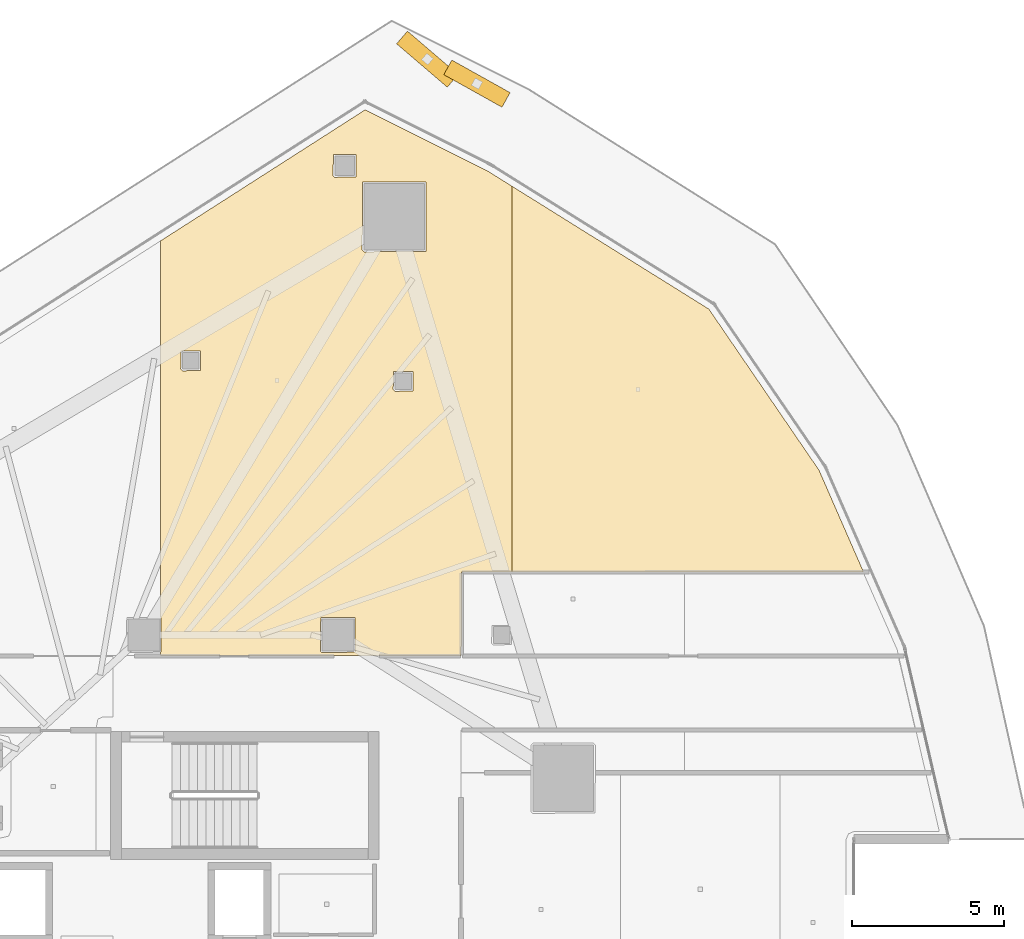
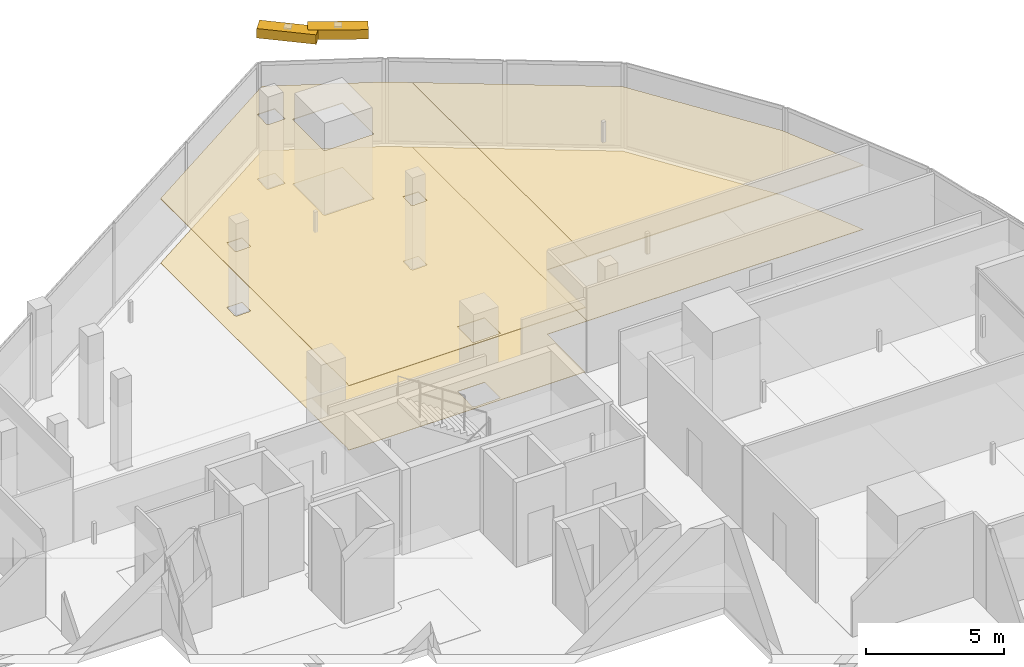
# One storey, part 36 of 36: 4 coverings, 2 shading devices.
"""IFC4 building model written with IfcOpenShell, lengths in metres."""

import ifcopenshell
import ifcopenshell.guid

model = None  # the IFC model being written
_history = None  # IfcOwnerHistory: only IFC2X3 demands one
_inside = {}  # id of a spatial element -> (the spatial element, [elements in it])
_under = {}  # id of a project, library or spatial element -> (it, [spatial elements below it])
_declared = {}  # id of a project -> (the project, [libraries it declares])
_typed = {}  # id of a type object -> (the type object, [elements of that type])
_made_of = {}  # id of a material, layer set ... -> (it, [elements and type objects made of it])


def new_model(schema):
    """Start an empty IFC model of exactly this schema.

    Asked for "IFC4X3", IfcOpenShell would pick the latest addendum, in which some entities
    have other attributes; the version numbers below select the first issue.
    IFC2X3 requires an IfcOwnerHistory on every rooted entity: one is made here for all.
    """
    global model, _history
    if schema == "IFC4X3":
        model = ifcopenshell.file(schema_version=(4, 3, 0, 0))
    else:
        model = ifcopenshell.file(schema=schema)
    _inside.clear()
    _under.clear()
    _declared.clear()
    _typed.clear()
    _made_of.clear()
    _history = None
    if model.schema == "IFC2X3":
        org = make("IfcOrganization", Name="unknown")
        user = make(
            "IfcPersonAndOrganization",
            ThePerson=make("IfcPerson", FamilyName="unknown"),
            TheOrganization=org,
        )
        app = make(
            "IfcApplication",
            ApplicationDeveloper=org,
            Version="unknown",
            ApplicationFullName="unknown",
            ApplicationIdentifier="unknown",
        )
        _history = make(
            "IfcOwnerHistory",
            OwningUser=user,
            OwningApplication=app,
            ChangeAction="ADDED",
            CreationDate=0,
        )
    return model


def make(cls, **values):
    """One entity of the class cls with the attributes given. An attribute that is None is left unset."""
    return model.create_entity(
        cls, **{name: value for name, value in values.items() if value is not None}
    )


def rooted(cls, **values):
    """An entity with a GlobalId (a new one), such as an element, a storey or a relation."""
    return make(cls, GlobalId=ifcopenshell.guid.new(), OwnerHistory=_history, **values)


def si_unit(unit_type, name, prefix=None):
    """IfcSIUnit, for example si_unit("LENGTHUNIT", "METRE", prefix="MILLI")."""
    return make("IfcSIUnit", UnitType=unit_type, Prefix=prefix, Name=name)


def assignment(units):
    """IfcUnitAssignment: the units of a project."""
    return None if units is None else make("IfcUnitAssignment", Units=units)


def point(xyz):
    """IfcCartesianPoint."""
    return None if xyz is None else make("IfcCartesianPoint", Coordinates=xyz)


def direction(xyz):
    """IfcDirection."""
    return None if xyz is None else make("IfcDirection", DirectionRatios=xyz)


def frame(location, z_axis=None, x_axis=None):
    """IfcAxis2Placement3D, a coordinate frame: its origin and axes. An axis left out is left unset."""
    return make(
        "IfcAxis2Placement3D",
        Location=point(location),
        Axis=direction(z_axis),
        RefDirection=direction(x_axis),
    )


def frame_2d(location, x_axis=None):
    """IfcAxis2Placement2D, a coordinate frame in the plane: its origin and x axis."""
    return make(
        "IfcAxis2Placement2D", Location=point(location), RefDirection=direction(x_axis)
    )


def origin():
    """The frame at (0, 0, 0) with its axes left unset."""
    return frame((0.0, 0.0, 0.0))


def origin_2d():
    """The frame at (0, 0) in the plane with its x axis left unset."""
    return frame_2d((0.0, 0.0))


def place(relative_to, where):
    """IfcLocalPlacement: puts the frame where relative to a parent placement (None: the world)."""
    return make(
        "IfcLocalPlacement", PlacementRelTo=relative_to, RelativePlacement=where
    )


def context(
    kind, dimensions, precision=None, world=None, true_north=None, identifier=None
):
    """IfcGeometricRepresentationContext, for example the 3D "Model" context."""
    return make(
        "IfcGeometricRepresentationContext",
        ContextIdentifier=identifier,
        ContextType=kind,
        CoordinateSpaceDimension=dimensions,
        Precision=precision,
        WorldCoordinateSystem=world,
        TrueNorth=true_north,
    )


def subcontext(parent, identifier, kind, view, scale=None):
    """IfcGeometricRepresentationSubContext, for example "Body" below "Model"."""
    return make(
        "IfcGeometricRepresentationSubContext",
        ContextIdentifier=identifier,
        ContextType=kind,
        ParentContext=parent,
        TargetScale=scale,
        TargetView=view,
    )


def project(units=None, contexts=None):
    """IfcProject with its units and contexts."""
    return rooted(
        "IfcProject",
        Name="project",
        RepresentationContexts=contexts,
        UnitsInContext=assignment(units),
    )


def spatial(cls, under=None, at=None, **own):
    """A site, building, storey or space (cls), placed at a placement, below another one or the project."""
    s = rooted(cls, ObjectPlacement=at, **own)
    if under is not None:
        _under.setdefault(under.id(), (under, []))[1].append(s)
    return s


def polyline(points):
    """IfcPolyline through the points."""
    return make("IfcPolyline", Points=[point(p) for p in points])


def profile(cls, at=None, kind="AREA", **sizes):
    """A parametric profile (cls). Its sizes go by their IFC names, for example OverallWidth=200.0."""
    return make(cls, ProfileType=kind, Position=at, **sizes)


def rectangle(**sizes):
    """IfcRectangleProfileDef."""
    return profile("IfcRectangleProfileDef", **sizes)


def outline(outer, holes=None, kind="AREA"):
    """IfcArbitraryClosedProfileDef: a profile drawn as a closed curve; with holes, ...WithVoids."""
    if holes is None:
        return make("IfcArbitraryClosedProfileDef", ProfileType=kind, OuterCurve=outer)
    return make(
        "IfcArbitraryProfileDefWithVoids",
        ProfileType=kind,
        OuterCurve=outer,
        InnerCurves=holes,
    )


def extrude(swept, where, along, depth):
    """IfcExtrudedAreaSolid: the profile swept, set in the frame where, extruded along a direction by depth."""
    return make(
        "IfcExtrudedAreaSolid",
        SweptArea=swept,
        Position=where,
        ExtrudedDirection=direction(along),
        Depth=depth,
    )


def shape(context_of_items, identifier, shape_type, items):
    """IfcShapeRepresentation: the items that make up one representation, for example the "Body"."""
    return make(
        "IfcShapeRepresentation",
        ContextOfItems=context_of_items,
        RepresentationIdentifier=identifier,
        RepresentationType=shape_type,
        Items=items,
    )


def material(Name=None, Category=None):
    """IfcMaterial."""
    return make("IfcMaterial", Name=Name, Category=Category)


def layer(
    of_material, thickness, ventilated=None, Name=None, Category=None, Priority=None
):
    """IfcMaterialLayer: one layer of a wall or slab, of a material (None: an air gap)."""
    return make(
        "IfcMaterialLayer",
        Material=of_material,
        LayerThickness=thickness,
        IsVentilated=ventilated,
        Name=Name,
        Category=Category,
        Priority=Priority,
    )


def layer_set(layers, Name=None):
    """IfcMaterialLayerSet."""
    return make("IfcMaterialLayerSet", MaterialLayers=layers, LayerSetName=Name)


def made_of(thing, what):
    """Note that an element or type object is made of a material, layer set ...; save() writes the relation."""
    if what is not None:
        _made_of.setdefault(what.id(), (what, []))[1].append(thing)
    return thing


def type_object(cls, material=None, **own):
    """A type object (cls), such as IfcWallType, which elements share."""
    return made_of(rooted(cls, **own), material)


def element(
    cls,
    number,
    at=None,
    inside=None,
    cuts=None,
    type_object=None,
    material=None,
    context=None,
    identifier="Body",
    shape_type=None,
    held_by="IfcProductDefinitionShape",
    body=None,
    shapes=None,
    **own,
):
    """One element of the class cls, such as IfcWall. Its Tag is "e" and its number.

    at: its placement. inside: the storey or other place that contains it. cuts: it is an
    opening in that element (IfcRelVoidsElement). A single representation is given by context,
    identifier, shape_type and body (its items); several are given by shapes. held_by: the class
    of the entity that holds the representations. save() writes the other relations.
    """
    e = rooted(cls, Tag="e%d" % number, ObjectPlacement=at, **own)
    if body is not None:
        shapes = [shape(context, identifier, shape_type, body)]
    if shapes is not None:
        e.Representation = make(held_by, Representations=shapes)
    if inside is not None:
        _inside.setdefault(inside.id(), (inside, []))[1].append(e)
    if cuts is not None:
        rooted(
            "IfcRelVoidsElement", RelatingBuildingElement=cuts, RelatedOpeningElement=e
        )
    if type_object is not None:
        _typed.setdefault(type_object.id(), (type_object, []))[1].append(e)
    return made_of(e, material)


def aggregate(whole, parts):
    """IfcRelAggregates: a whole, such as a stair, and the parts it consists of."""
    return rooted("IfcRelAggregates", RelatingObject=whole, RelatedObjects=parts)


def save(model, path):
    """Write the relations noted so far, then the file.

    IfcRelAggregates (storeys below a building ...), IfcRelContainedInSpatialStructure (elements
    in a storey), IfcRelDefinesByType, IfcRelAssociatesMaterial and IfcRelDeclares: one each for
    every whole, place, type object, material and project.
    """
    for whole, parts in _under.values():
        aggregate(whole, parts)
    for where, things in _inside.values():
        rooted(
            "IfcRelContainedInSpatialStructure",
            RelatedElements=things,
            RelatingStructure=where,
        )
    for kind, things in _typed.values():
        rooted("IfcRelDefinesByType", RelatedObjects=things, RelatingType=kind)
    for what, things in _made_of.values():
        rooted("IfcRelAssociatesMaterial", RelatedObjects=things, RelatingMaterial=what)
    for by, libraries in _declared.values():
        rooted("IfcRelDeclares", RelatingContext=by, RelatedDefinitions=libraries)
    model.write(path)


model = new_model("IFC4")

# Units and contexts
model_context = context("Model", 3, precision=1e-05, world=origin(), true_north=direction((0.0, 1.0)))
body_context = subcontext(model_context, "Body", "Model", "MODEL_VIEW")
ifc_project = project(units=[si_unit("LENGTHUNIT", "METRE"), si_unit("AREAUNIT", "SQUARE_METRE"), si_unit("VOLUMEUNIT", "CUBIC_METRE"), si_unit("PLANEANGLEUNIT", "RADIAN"), si_unit("MASSUNIT", "GRAM", prefix="KILO")], contexts=[model_context])

# Site, building, storey
site_placement = place(None, origin())
site = spatial("IfcSite", under=ifc_project, at=site_placement, CompositionType="ELEMENT")
building_placement = place(site_placement, origin())
building = spatial("IfcBuilding", under=site, at=building_placement, Name="Qorvath Tower", CompositionType="ELEMENT")
storey_placement = place(building_placement, frame((0.0, 0.0, 170.550048828125)))
storey = spatial("IfcBuildingStorey", under=building, at=storey_placement, Name="L39", CompositionType="ELEMENT", Elevation=170.550048828125)

# Coverings
ifc_material_1 = material(Name="Acoustic mineral fibre ceiling tile", Category="gypsum")
ifc_layer_1 = layer(ifc_material_1, 0.030029296875)
ifc_layer_set_1 = layer_set([ifc_layer_1], Name="COV-CEIL")
covering_type_1 = type_object("IfcCoveringType", Name="COV-CEIL", PredefinedType="CEILING", material=ifc_layer_set_1)
covering_1_placement = place(storey_placement, frame((0.0, 0.0, 2.849853515625)))
element("IfcCovering", 1, at=covering_1_placement, inside=storey, type_object=covering_type_1, Name="L39 Suspended Acoustic Ceiling 011", PredefinedType="CEILING", context=body_context, shape_type="SweptSolid", body=[
    extrude(outline(polyline([(-13.133544921875, 13.518310546875), (-11.460693359375, 13.520263671875), (-11.460693359375, 26.25), (-12.28369140625, 26.763671875), (-16.303466796875, 28.77099609375), (-23.052978515625, 24.4482421875), (-23.052978515625, 12.017333984375), (-23.032470703125, 12.017333984375), (-23.032470703125, 10.882568359375), (-23.052978515625, 10.88232421875), (-23.052978515625, 10.762939453125), (-13.135009765625, 10.762939453125), (-13.133544921875, 13.518310546875)]), holes=[polyline([(-16.404296875, 24.14599609375), (-16.38671875, 26.388427734375), (-14.3017578125, 26.388427734375), (-14.3017578125, 24.103759765625), (-16.34423828125, 24.086181640625), (-16.404296875, 24.14599609375)]), polyline([(-15.381103515625, 19.543212890625), (-15.363525390625, 20.135498046875), (-14.728759765625, 20.135498046875), (-14.728759765625, 19.500732421875), (-15.321044921875, 19.483154296875), (-15.381103515625, 19.543212890625)]), polyline([(-17.3662109375, 26.604248046875), (-17.3486328125, 27.296630859375), (-16.61376953125, 27.296630859375), (-16.61376953125, 26.561767578125), (-17.30615234375, 26.544189453125), (-17.3662109375, 26.604248046875)]), polyline([(-17.784912109375, 10.925048828125), (-17.767333984375, 12.017333984375), (-16.632568359375, 12.017333984375), (-16.632568359375, 10.882568359375), (-17.72509765625, 10.864990234375), (-17.784912109375, 10.925048828125)]), polyline([(-22.38818359375, 20.219970703125), (-22.37060546875, 20.812255859375), (-21.73583984375, 20.812255859375), (-21.73583984375, 20.177490234375), (-22.328125, 20.159912109375), (-22.38818359375, 20.219970703125)])]), origin(), (0.0, 0.0, 1.0), 0.030029296875),
])
covering_2_placement = place(storey_placement, frame((0.0, 0.0, 2.849853515625)))
element("IfcCovering", 2, at=covering_2_placement, inside=storey, type_object=covering_type_1, Name="L39 Suspended Acoustic Ceiling 012", PredefinedType="CEILING", context=body_context, shape_type="SweptSolid", body=[
    extrude(outline(polyline([(-11.460693359375, 26.25), (-11.460693359375, 13.520263671875), (0.13134765625, 13.532470703125), (-1.3349609375, 16.886474609375), (-4.9658203125, 22.197265625), (-11.460693359375, 26.25)])), origin(), (0.0, 0.0, 1.0), 0.030029296875),
])
ifc_material_2 = material(Name="Low-VOC modular carpet tile", Category="textile")
ifc_layer_2 = layer(ifc_material_2, 0.014892578125)
ifc_layer_set_2 = layer_set([ifc_layer_2], Name="COV-FLOOR-CPT")
covering_type_2 = type_object("IfcCoveringType", Name="COV-FLOOR-CPT", PredefinedType="FLOORING", material=ifc_layer_set_2)
covering_3_placement = place(storey_placement, origin())
element("IfcCovering", 3, at=covering_3_placement, inside=storey, type_object=covering_type_2, Name="L39 Floor Finish 011", PredefinedType="FLOORING", context=body_context, shape_type="SweptSolid", body=[
    extrude(outline(polyline([(-13.133544921875, 13.518310546875), (-11.460693359375, 13.520263671875), (-11.460693359375, 26.25), (-12.28369140625, 26.763671875), (-16.303466796875, 28.77099609375), (-23.052978515625, 24.4482421875), (-23.052978515625, 12.017333984375), (-23.032470703125, 12.017333984375), (-23.032470703125, 10.882568359375), (-23.052978515625, 10.88232421875), (-23.052978515625, 10.762939453125), (-13.135009765625, 10.762939453125), (-13.133544921875, 13.518310546875)]), holes=[polyline([(-16.404296875, 24.14599609375), (-16.38671875, 26.388427734375), (-14.3017578125, 26.388427734375), (-14.3017578125, 24.103759765625), (-16.34423828125, 24.086181640625), (-16.404296875, 24.14599609375)]), polyline([(-15.381103515625, 19.543212890625), (-15.363525390625, 20.135498046875), (-14.728759765625, 20.135498046875), (-14.728759765625, 19.500732421875), (-15.321044921875, 19.483154296875), (-15.381103515625, 19.543212890625)]), polyline([(-17.3662109375, 26.604248046875), (-17.3486328125, 27.296630859375), (-16.61376953125, 27.296630859375), (-16.61376953125, 26.561767578125), (-17.30615234375, 26.544189453125), (-17.3662109375, 26.604248046875)]), polyline([(-17.784912109375, 10.925048828125), (-17.767333984375, 12.017333984375), (-16.632568359375, 12.017333984375), (-16.632568359375, 10.882568359375), (-17.72509765625, 10.864990234375), (-17.784912109375, 10.925048828125)]), polyline([(-22.38818359375, 20.219970703125), (-22.37060546875, 20.812255859375), (-21.73583984375, 20.812255859375), (-21.73583984375, 20.177490234375), (-22.328125, 20.159912109375), (-22.38818359375, 20.219970703125)])]), origin(), (0.0, 0.0, 1.0), 0.014892578125),
])
covering_4_placement = place(storey_placement, origin())
element("IfcCovering", 4, at=covering_4_placement, inside=storey, type_object=covering_type_2, Name="L39 Floor Finish 012", PredefinedType="FLOORING", context=body_context, shape_type="SweptSolid", body=[
    extrude(outline(polyline([(-11.460693359375, 26.25), (-11.460693359375, 13.520263671875), (0.13134765625, 13.532470703125), (-1.3349609375, 16.886474609375), (-4.9658203125, 22.197265625), (-11.460693359375, 26.25)])), origin(), (0.0, 0.0, 1.0), 0.014892578125),
])

# Shading devices
ifc_material_3 = material(Name="Anodised bronze-champagne aluminium", Category="aluminium")
shading_device_type = type_object("IfcShadingDeviceType", Name="SD-LOUVRE", PredefinedType="JALOUSIE", material=ifc_material_3)
for number, where, z_axis, x_axis, name in (
    (5, (-12.61767578125, 29.634033203125, 3.330078125), (0.0, 0.0, 1.0), (-0.872959539628, 0.487792622097, 0.0), "Sinusoidal Wave Louvre Blade L39-04"),
    (6, (-14.252197265625, 30.44189453125, 3.330078125), (0.0, 0.0, 1.0), (-0.759933094468, 0.650001301485, 0.0), "Sinusoidal Wave Louvre Blade L39-05"),
):
    element("IfcShadingDevice", number, at=place(storey_placement, frame(where, z_axis=z_axis, x_axis=x_axis)), inside=storey, type_object=shading_device_type, Name=name, PredefinedType="NOTDEFINED", context=body_context, shape_type="SweptSolid", body=[
        extrude(rectangle(XDim=2.199951171875, YDim=0.550048828125, at=origin_2d()), origin(), (0.0, 0.0, 1.0), 0.419921875),
    ])

save(model, "model.ifc")
